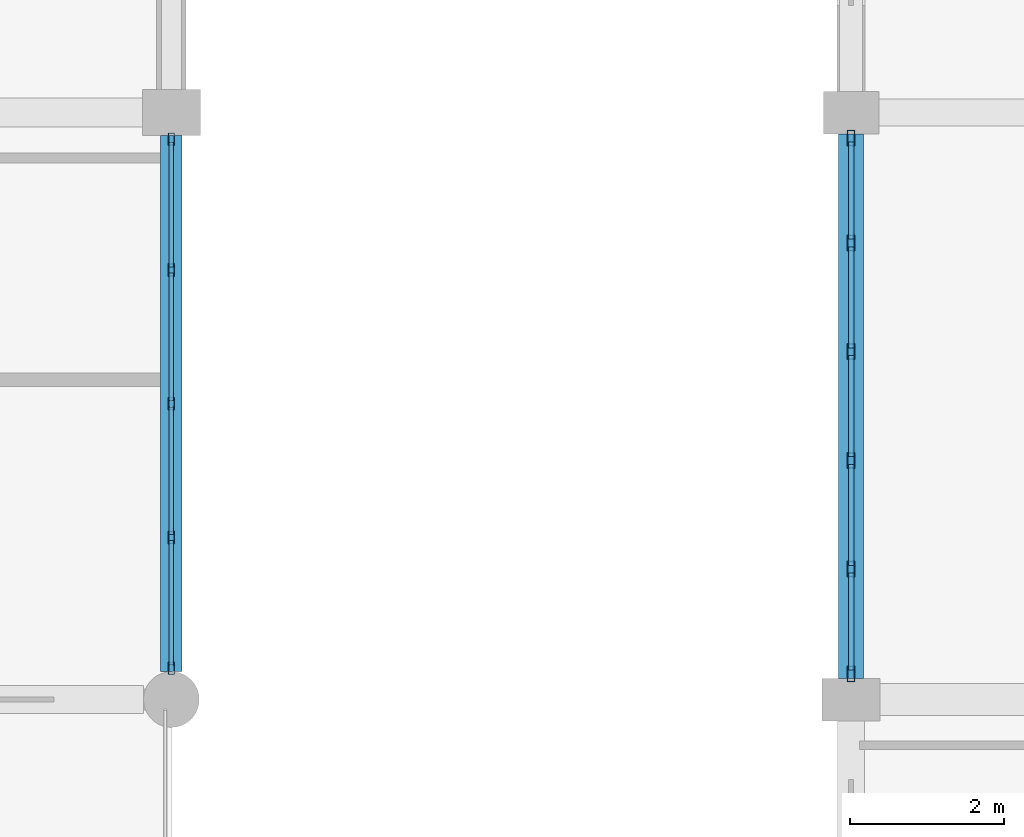
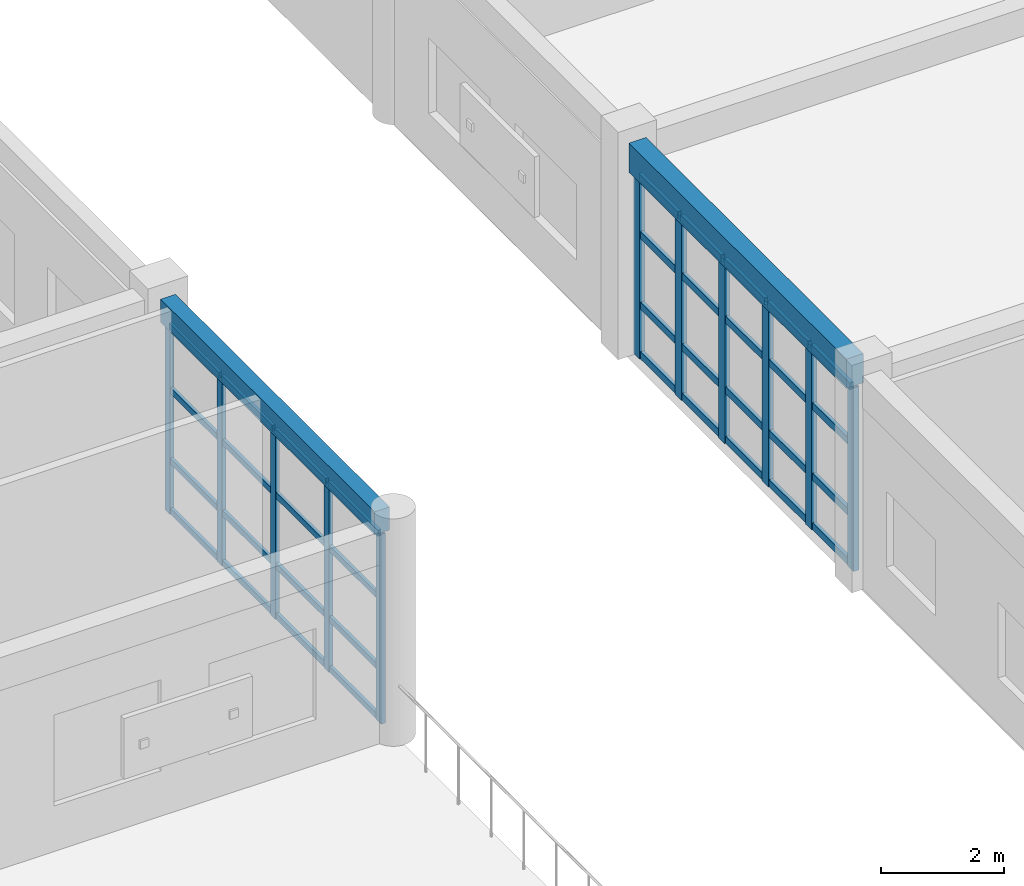
# One storey, part 59 of 160: 47 members, 2 beams, 2 elements without a shape of their own.
"""IFC4 building model written with IfcOpenShell, lengths in metres."""

from ifc_helpers import new_model, si_unit, direction, frame, origin, origin_2d, place, context, subcontext, project, spatial, rectangle, hollow_rectangle, extrude, material, material_profile, profile_set, type_object, element, aggregate, save


model = new_model("IFC4")

# Units and contexts
model_context = context("Model", 3, precision=1e-05, world=origin(), true_north=direction((0.0, 1.0)))
body_context = subcontext(model_context, "Body", "Model", "MODEL_VIEW")
ifc_project = project(units=[si_unit("LENGTHUNIT", "METRE"), si_unit("AREAUNIT", "SQUARE_METRE"), si_unit("VOLUMEUNIT", "CUBIC_METRE"), si_unit("PLANEANGLEUNIT", "RADIAN"), si_unit("MASSUNIT", "GRAM", prefix="KILO")], contexts=[model_context])

# Site, building, storey
site_placement = place(None, origin())
site = spatial("IfcSite", under=ifc_project, at=site_placement, CompositionType="ELEMENT")
building_placement = place(site_placement, origin())
building = spatial("IfcBuilding", under=site, at=building_placement, Name="Kharva Crest Polytechnic", CompositionType="ELEMENT")
storey_placement = place(building_placement, frame((0.0, 0.0, 4.5)))
storey = spatial("IfcBuildingStorey", under=building, at=storey_placement, Name="L01", CompositionType="ELEMENT", Elevation=4.5)

# Curtain wall, members
ifc_material_1 = material(Name="Tempered insulated glass", Category="glass")
curtain_wall_type_1 = type_object("IfcCurtainWallType", Name="CW-SYS-COURT", PredefinedType="USERDEFINED", material=ifc_material_1)
curtain_wall_1_placement = place(storey_placement, origin())
curtain_wall_1 = element("IfcCurtainWall", 1, at=curtain_wall_1_placement, inside=storey, type_object=curtain_wall_type_1, Name="L01 Glazed Curtain Wall CW-034", ObjectType="CURTAIN WALL", PredefinedType="USERDEFINED")
ifc_material_2 = material(Name="Steel S355", Category="steel")
ifc_material_profile_1 = material_profile(ifc_material_2, hollow_rectangle(XDim=0.080078125, YDim=0.159912109375, WallThickness=0.0048828125, at=origin_2d()), Name="RHS 160X80X5.0")
ifc_profile_set_1 = profile_set([ifc_material_profile_1], Name="Steel S355")
member_type_1 = type_object("IfcMemberType", Name="CWM-RHS160X80", PredefinedType="MULLION", material=ifc_profile_set_1)
member_1_placement = place(storey_placement, frame((112.0, 8.0048828125, 0.0), z_axis=(0.0, 0.0, 1.0), x_axis=(-1.0, 0.0, 0.0)))
member_1 = element("IfcMember", 2, at=member_1_placement, type_object=member_type_1, Name="CW-034 mullion 1", PredefinedType="MULLION", context=body_context, shape_type="SweptSolid", body=[
    extrude(hollow_rectangle(XDim=0.080078125, YDim=0.159912109375, WallThickness=0.0048828125, at=origin_2d()), origin(), (0.0, 0.0, 1.0), 3.760009765625),
])
member_2_placement = place(storey_placement, frame((112.0, 9.697509765625, 0.0), z_axis=(0.0, 0.0, 1.0), x_axis=(-1.0, 0.0, 0.0)))
member_2 = element("IfcMember", 3, at=member_2_placement, type_object=member_type_1, Name="CW-034 mullion 2", PredefinedType="MULLION", context=body_context, shape_type="SweptSolid", body=[
    extrude(hollow_rectangle(XDim=0.080078125, YDim=0.159912109375, WallThickness=0.0048828125, at=origin_2d()), origin(), (0.0, 0.0, 1.0), 3.760009765625),
])
member_3_placement = place(storey_placement, frame((112.0, 11.429931640625, 0.0), z_axis=(0.0, 0.0, 1.0), x_axis=(-1.0, 0.0, 0.0)))
member_3 = element("IfcMember", 4, at=member_3_placement, type_object=member_type_1, Name="CW-034 mullion 3", PredefinedType="MULLION", context=body_context, shape_type="SweptSolid", body=[
    extrude(hollow_rectangle(XDim=0.080078125, YDim=0.159912109375, WallThickness=0.0048828125, at=origin_2d()), origin(), (0.0, 0.0, 1.0), 3.760009765625),
])
member_4_placement = place(storey_placement, frame((112.0, 13.16259765625, 0.0), z_axis=(0.0, 0.0, 1.0), x_axis=(-1.0, 0.0, 0.0)))
member_4 = element("IfcMember", 5, at=member_4_placement, type_object=member_type_1, Name="CW-034 mullion 4", PredefinedType="MULLION", context=body_context, shape_type="SweptSolid", body=[
    extrude(hollow_rectangle(XDim=0.080078125, YDim=0.159912109375, WallThickness=0.0048828125, at=origin_2d()), origin(), (0.0, 0.0, 1.0), 3.760009765625),
])
member_5_placement = place(storey_placement, frame((112.0, 14.85498046875, 0.0), z_axis=(0.0, 0.0, 1.0), x_axis=(-1.0, 0.0, 0.0)))
member_5 = element("IfcMember", 6, at=member_5_placement, type_object=member_type_1, Name="CW-034 mullion 5", PredefinedType="MULLION", context=body_context, shape_type="SweptSolid", body=[
    extrude(hollow_rectangle(XDim=0.080078125, YDim=0.159912109375, WallThickness=0.0048828125, at=origin_2d()), origin(), (0.0, 0.0, 1.0), 3.760009765625),
])

curtain_wall_type_2 = type_object("IfcCurtainWallType", Name="CW-SYS-REFECTORY", PredefinedType="USERDEFINED", material=ifc_material_1)
curtain_wall_2_placement = place(storey_placement, origin())
curtain_wall_2 = element("IfcCurtainWall", 7, at=curtain_wall_2_placement, inside=storey, type_object=curtain_wall_type_2, Name="L01 Glazed Curtain Wall CW-044", ObjectType="CURTAIN WALL", PredefinedType="USERDEFINED")
ifc_material_profile_2 = material_profile(ifc_material_2, hollow_rectangle(XDim=0.10009765625, YDim=0.199951171875, WallThickness=0.00634765625, at=origin_2d()), Name="RHS 200X100X6.3")
ifc_profile_set_2 = profile_set([ifc_material_profile_2], Name="Steel S355")
member_type_2 = type_object("IfcMemberType", Name="CWM-RHS200X100", PredefinedType="MULLION", material=ifc_profile_set_2)
member_6_placement = place(storey_placement, frame((120.800048828125, 14.8701171875, 0.0), z_axis=(0.0, 0.0, 1.0), x_axis=(1.0, 0.0, 0.0)))
member_6 = element("IfcMember", 8, at=member_6_placement, type_object=member_type_2, Name="CW-044 mullion 1", PredefinedType="MULLION", context=body_context, shape_type="SweptSolid", body=[
    extrude(hollow_rectangle(XDim=0.10009765625, YDim=0.199951171875, WallThickness=0.00634765625, at=origin_2d()), origin(), (0.0, 0.0, 1.0), 3.639892578125),
])
member_7_placement = place(storey_placement, frame((120.800048828125, 13.511962890625, 0.0), z_axis=(0.0, 0.0, 1.0), x_axis=(1.0, 0.0, 0.0)))
member_7 = element("IfcMember", 9, at=member_7_placement, type_object=member_type_2, Name="CW-044 mullion 2", PredefinedType="MULLION", context=body_context, shape_type="SweptSolid", body=[
    extrude(hollow_rectangle(XDim=0.10009765625, YDim=0.199951171875, WallThickness=0.00634765625, at=origin_2d()), origin(), (0.0, 0.0, 1.0), 3.639892578125),
])
member_8_placement = place(storey_placement, frame((120.800048828125, 12.10400390625, 0.0), z_axis=(0.0, 0.0, 1.0), x_axis=(1.0, 0.0, 0.0)))
member_8 = element("IfcMember", 10, at=member_8_placement, type_object=member_type_2, Name="CW-044 mullion 3", PredefinedType="MULLION", context=body_context, shape_type="SweptSolid", body=[
    extrude(hollow_rectangle(XDim=0.10009765625, YDim=0.199951171875, WallThickness=0.00634765625, at=origin_2d()), origin(), (0.0, 0.0, 1.0), 3.639892578125),
])
member_9_placement = place(storey_placement, frame((120.800048828125, 10.696044921875, 0.0), z_axis=(0.0, 0.0, 1.0), x_axis=(1.0, 0.0, 0.0)))
member_9 = element("IfcMember", 11, at=member_9_placement, type_object=member_type_2, Name="CW-044 mullion 4", PredefinedType="MULLION", context=body_context, shape_type="SweptSolid", body=[
    extrude(hollow_rectangle(XDim=0.10009765625, YDim=0.199951171875, WallThickness=0.00634765625, at=origin_2d()), origin(), (0.0, 0.0, 1.0), 3.639892578125),
])
member_10_placement = place(storey_placement, frame((120.800048828125, 9.2880859375, 0.0), z_axis=(0.0, 0.0, 1.0), x_axis=(1.0, 0.0, 0.0)))
member_10 = element("IfcMember", 12, at=member_10_placement, type_object=member_type_2, Name="CW-044 mullion 5", PredefinedType="MULLION", context=body_context, shape_type="SweptSolid", body=[
    extrude(hollow_rectangle(XDim=0.10009765625, YDim=0.199951171875, WallThickness=0.00634765625, at=origin_2d()), origin(), (0.0, 0.0, 1.0), 3.639892578125),
])
member_11_placement = place(storey_placement, frame((120.800048828125, 7.929931640625, 0.0), z_axis=(0.0, 0.0, 1.0), x_axis=(1.0, 0.0, 0.0)))
member_11 = element("IfcMember", 13, at=member_11_placement, type_object=member_type_2, Name="CW-044 mullion 6", PredefinedType="MULLION", context=body_context, shape_type="SweptSolid", body=[
    extrude(hollow_rectangle(XDim=0.10009765625, YDim=0.199951171875, WallThickness=0.00634765625, at=origin_2d()), origin(), (0.0, 0.0, 1.0), 3.639892578125),
])

# Member
ifc_material_profile_3 = material_profile(ifc_material_2, hollow_rectangle(XDim=0.06005859375, YDim=0.1201171875, WallThickness=0.00390625, at=origin_2d()), Name="RHS 120X60X4.0")
ifc_profile_set_3 = profile_set([ifc_material_profile_3], Name="Steel S355")
member_type_3 = type_object("IfcMemberType", Name="CWT-RHS120X60", PredefinedType="USERDEFINED", material=ifc_profile_set_3)
member_12_placement = place(storey_placement, frame((112.0, 8.044921875, 0.06005859375), z_axis=(0.0, 1.0, 0.0), x_axis=(-1.0, 0.0, 0.0)))
member_12 = element("IfcMember", 14, at=member_12_placement, type_object=member_type_3, Name="CW-034 transom 1.1", ObjectType="TRANSOM", PredefinedType="USERDEFINED", context=body_context, shape_type="SweptSolid", body=[
    extrude(hollow_rectangle(XDim=0.06005859375, YDim=0.1201171875, WallThickness=0.00390625, at=origin_2d()), origin(), (0.0, 0.0, 1.0), 1.612548828125),
])

member_13_placement = place(storey_placement, frame((112.0, 8.044921875, 1.050048828125), z_axis=(0.0, 1.0, 0.0), x_axis=(-1.0, 0.0, 0.0)))
member_13 = element("IfcMember", 15, at=member_13_placement, type_object=member_type_3, Name="CW-034 transom 1.2", ObjectType="TRANSOM", PredefinedType="USERDEFINED", context=body_context, shape_type="SweptSolid", body=[
    extrude(hollow_rectangle(XDim=0.06005859375, YDim=0.1201171875, WallThickness=0.00390625, at=origin_2d()), origin(), (0.0, 0.0, 1.0), 1.612548828125),
])

member_14_placement = place(storey_placement, frame((112.0, 8.044921875, 2.449951171875), z_axis=(0.0, 1.0, 0.0), x_axis=(-1.0, 0.0, 0.0)))
member_14 = element("IfcMember", 16, at=member_14_placement, type_object=member_type_3, Name="CW-034 transom 1.3", ObjectType="TRANSOM", PredefinedType="USERDEFINED", context=body_context, shape_type="SweptSolid", body=[
    extrude(hollow_rectangle(XDim=0.06005859375, YDim=0.1201171875, WallThickness=0.00390625, at=origin_2d()), origin(), (0.0, 0.0, 1.0), 1.612548828125),
])

member_15_placement = place(storey_placement, frame((112.0, 8.044921875, 3.699951171875), z_axis=(0.0, 1.0, 0.0), x_axis=(-1.0, 0.0, 0.0)))
member_15 = element("IfcMember", 17, at=member_15_placement, type_object=member_type_3, Name="CW-034 transom 1.4", ObjectType="TRANSOM", PredefinedType="USERDEFINED", context=body_context, shape_type="SweptSolid", body=[
    extrude(hollow_rectangle(XDim=0.06005859375, YDim=0.1201171875, WallThickness=0.00390625, at=origin_2d()), origin(), (0.0, 0.0, 1.0), 1.612548828125),
])

member_16_placement = place(storey_placement, frame((112.0, 9.737548828125, 0.06005859375), z_axis=(0.0, 1.0, 0.0), x_axis=(-1.0, 0.0, 0.0)))
member_16 = element("IfcMember", 18, at=member_16_placement, type_object=member_type_3, Name="CW-034 transom 2.1", ObjectType="TRANSOM", PredefinedType="USERDEFINED", context=body_context, shape_type="SweptSolid", body=[
    extrude(hollow_rectangle(XDim=0.06005859375, YDim=0.1201171875, WallThickness=0.00390625, at=origin_2d()), origin(), (0.0, 0.0, 1.0), 1.65234375),
])

member_17_placement = place(storey_placement, frame((112.0, 9.737548828125, 1.050048828125), z_axis=(0.0, 1.0, 0.0), x_axis=(-1.0, 0.0, 0.0)))
member_17 = element("IfcMember", 19, at=member_17_placement, type_object=member_type_3, Name="CW-034 transom 2.2", ObjectType="TRANSOM", PredefinedType="USERDEFINED", context=body_context, shape_type="SweptSolid", body=[
    extrude(hollow_rectangle(XDim=0.06005859375, YDim=0.1201171875, WallThickness=0.00390625, at=origin_2d()), origin(), (0.0, 0.0, 1.0), 1.65234375),
])

member_18_placement = place(storey_placement, frame((112.0, 9.737548828125, 2.449951171875), z_axis=(0.0, 1.0, 0.0), x_axis=(-1.0, 0.0, 0.0)))
member_18 = element("IfcMember", 20, at=member_18_placement, type_object=member_type_3, Name="CW-034 transom 2.3", ObjectType="TRANSOM", PredefinedType="USERDEFINED", context=body_context, shape_type="SweptSolid", body=[
    extrude(hollow_rectangle(XDim=0.06005859375, YDim=0.1201171875, WallThickness=0.00390625, at=origin_2d()), origin(), (0.0, 0.0, 1.0), 1.65234375),
])

member_19_placement = place(storey_placement, frame((112.0, 9.737548828125, 3.699951171875), z_axis=(0.0, 1.0, 0.0), x_axis=(-1.0, 0.0, 0.0)))
member_19 = element("IfcMember", 21, at=member_19_placement, type_object=member_type_3, Name="CW-034 transom 2.4", ObjectType="TRANSOM", PredefinedType="USERDEFINED", context=body_context, shape_type="SweptSolid", body=[
    extrude(hollow_rectangle(XDim=0.06005859375, YDim=0.1201171875, WallThickness=0.00390625, at=origin_2d()), origin(), (0.0, 0.0, 1.0), 1.65234375),
])

member_20_placement = place(storey_placement, frame((112.0, 11.469970703125, 0.06005859375), z_axis=(0.0, 1.0, 0.0), x_axis=(-1.0, 0.0, 0.0)))
member_20 = element("IfcMember", 22, at=member_20_placement, type_object=member_type_3, Name="CW-034 transom 3.1", ObjectType="TRANSOM", PredefinedType="USERDEFINED", context=body_context, shape_type="SweptSolid", body=[
    extrude(hollow_rectangle(XDim=0.06005859375, YDim=0.1201171875, WallThickness=0.00390625, at=origin_2d()), origin(), (0.0, 0.0, 1.0), 1.652587890625),
])

member_21_placement = place(storey_placement, frame((112.0, 11.469970703125, 1.050048828125), z_axis=(0.0, 1.0, 0.0), x_axis=(-1.0, 0.0, 0.0)))
member_21 = element("IfcMember", 23, at=member_21_placement, type_object=member_type_3, Name="CW-034 transom 3.2", ObjectType="TRANSOM", PredefinedType="USERDEFINED", context=body_context, shape_type="SweptSolid", body=[
    extrude(hollow_rectangle(XDim=0.06005859375, YDim=0.1201171875, WallThickness=0.00390625, at=origin_2d()), origin(), (0.0, 0.0, 1.0), 1.652587890625),
])

member_22_placement = place(storey_placement, frame((112.0, 11.469970703125, 2.449951171875), z_axis=(0.0, 1.0, 0.0), x_axis=(-1.0, 0.0, 0.0)))
member_22 = element("IfcMember", 24, at=member_22_placement, type_object=member_type_3, Name="CW-034 transom 3.3", ObjectType="TRANSOM", PredefinedType="USERDEFINED", context=body_context, shape_type="SweptSolid", body=[
    extrude(hollow_rectangle(XDim=0.06005859375, YDim=0.1201171875, WallThickness=0.00390625, at=origin_2d()), origin(), (0.0, 0.0, 1.0), 1.652587890625),
])

member_23_placement = place(storey_placement, frame((112.0, 11.469970703125, 3.699951171875), z_axis=(0.0, 1.0, 0.0), x_axis=(-1.0, 0.0, 0.0)))
member_23 = element("IfcMember", 25, at=member_23_placement, type_object=member_type_3, Name="CW-034 transom 3.4", ObjectType="TRANSOM", PredefinedType="USERDEFINED", context=body_context, shape_type="SweptSolid", body=[
    extrude(hollow_rectangle(XDim=0.06005859375, YDim=0.1201171875, WallThickness=0.00390625, at=origin_2d()), origin(), (0.0, 0.0, 1.0), 1.652587890625),
])

member_24_placement = place(storey_placement, frame((112.0, 13.202392578125, 0.06005859375), z_axis=(0.0, 1.0, 0.0), x_axis=(-1.0, 0.0, 0.0)))
member_24 = element("IfcMember", 26, at=member_24_placement, type_object=member_type_3, Name="CW-034 transom 4.1", ObjectType="TRANSOM", PredefinedType="USERDEFINED", context=body_context, shape_type="SweptSolid", body=[
    extrude(hollow_rectangle(XDim=0.06005859375, YDim=0.1201171875, WallThickness=0.00390625, at=origin_2d()), origin(), (0.0, 0.0, 1.0), 1.612548828125),
])

member_25_placement = place(storey_placement, frame((112.0, 13.202392578125, 1.050048828125), z_axis=(0.0, 1.0, 0.0), x_axis=(-1.0, 0.0, 0.0)))
member_25 = element("IfcMember", 27, at=member_25_placement, type_object=member_type_3, Name="CW-034 transom 4.2", ObjectType="TRANSOM", PredefinedType="USERDEFINED", context=body_context, shape_type="SweptSolid", body=[
    extrude(hollow_rectangle(XDim=0.06005859375, YDim=0.1201171875, WallThickness=0.00390625, at=origin_2d()), origin(), (0.0, 0.0, 1.0), 1.612548828125),
])

member_26_placement = place(storey_placement, frame((112.0, 13.202392578125, 2.449951171875), z_axis=(0.0, 1.0, 0.0), x_axis=(-1.0, 0.0, 0.0)))
member_26 = element("IfcMember", 28, at=member_26_placement, type_object=member_type_3, Name="CW-034 transom 4.3", ObjectType="TRANSOM", PredefinedType="USERDEFINED", context=body_context, shape_type="SweptSolid", body=[
    extrude(hollow_rectangle(XDim=0.06005859375, YDim=0.1201171875, WallThickness=0.00390625, at=origin_2d()), origin(), (0.0, 0.0, 1.0), 1.612548828125),
])

member_27_placement = place(storey_placement, frame((112.0, 13.202392578125, 3.699951171875), z_axis=(0.0, 1.0, 0.0), x_axis=(-1.0, 0.0, 0.0)))
member_27 = element("IfcMember", 29, at=member_27_placement, type_object=member_type_3, Name="CW-034 transom 4.4", ObjectType="TRANSOM", PredefinedType="USERDEFINED", context=body_context, shape_type="SweptSolid", body=[
    extrude(hollow_rectangle(XDim=0.06005859375, YDim=0.1201171875, WallThickness=0.00390625, at=origin_2d()), origin(), (0.0, 0.0, 1.0), 1.612548828125),
])

aggregate(curtain_wall_1, [member_1, member_2, member_3, member_4, member_5, member_12, member_13, member_14, member_15, member_16, member_17, member_18, member_19, member_20, member_21, member_22, member_23, member_24, member_25, member_26, member_27])

ifc_material_profile_4 = material_profile(ifc_material_2, hollow_rectangle(XDim=0.070068359375, YDim=0.139892578125, WallThickness=0.00390625, at=origin_2d()), Name="RHS 140X70X4.0")
ifc_profile_set_4 = profile_set([ifc_material_profile_4], Name="Steel S355")
member_type_4 = type_object("IfcMemberType", Name="CWT-RHS140X70", PredefinedType="USERDEFINED", material=ifc_profile_set_4)
member_28_placement = place(storey_placement, frame((120.800048828125, 14.820068359375, 0.070068359375), z_axis=(0.0, -1.0, 0.0), x_axis=(1.0, 0.0, 0.0)))
member_28 = element("IfcMember", 30, at=member_28_placement, type_object=member_type_4, Name="CW-044 transom 1.1", ObjectType="TRANSOM", PredefinedType="USERDEFINED", context=body_context, shape_type="SweptSolid", body=[
    extrude(hollow_rectangle(XDim=0.070068359375, YDim=0.139892578125, WallThickness=0.00390625, at=origin_2d()), origin(), (0.0, 0.0, 1.0), 1.258056640625),
])

member_29_placement = place(storey_placement, frame((120.800048828125, 14.820068359375, 1.050048828125), z_axis=(0.0, -1.0, 0.0), x_axis=(1.0, 0.0, 0.0)))
member_29 = element("IfcMember", 31, at=member_29_placement, type_object=member_type_4, Name="CW-044 transom 1.2", ObjectType="TRANSOM", PredefinedType="USERDEFINED", context=body_context, shape_type="SweptSolid", body=[
    extrude(hollow_rectangle(XDim=0.070068359375, YDim=0.139892578125, WallThickness=0.00390625, at=origin_2d()), origin(), (0.0, 0.0, 1.0), 1.258056640625),
])

member_30_placement = place(storey_placement, frame((120.800048828125, 14.820068359375, 2.449951171875), z_axis=(0.0, -1.0, 0.0), x_axis=(1.0, 0.0, 0.0)))
member_30 = element("IfcMember", 32, at=member_30_placement, type_object=member_type_4, Name="CW-044 transom 1.3", ObjectType="TRANSOM", PredefinedType="USERDEFINED", context=body_context, shape_type="SweptSolid", body=[
    extrude(hollow_rectangle(XDim=0.070068359375, YDim=0.139892578125, WallThickness=0.00390625, at=origin_2d()), origin(), (0.0, 0.0, 1.0), 1.258056640625),
])

member_31_placement = place(storey_placement, frame((120.800048828125, 14.820068359375, 3.570068359375), z_axis=(0.0, -1.0, 0.0), x_axis=(1.0, 0.0, 0.0)))
member_31 = element("IfcMember", 33, at=member_31_placement, type_object=member_type_4, Name="CW-044 transom 1.4", ObjectType="TRANSOM", PredefinedType="USERDEFINED", context=body_context, shape_type="SweptSolid", body=[
    extrude(hollow_rectangle(XDim=0.070068359375, YDim=0.139892578125, WallThickness=0.00390625, at=origin_2d()), origin(), (0.0, 0.0, 1.0), 1.258056640625),
])

member_32_placement = place(storey_placement, frame((120.800048828125, 13.4619140625, 0.070068359375), z_axis=(0.0, -1.0, 0.0), x_axis=(1.0, 0.0, 0.0)))
member_32 = element("IfcMember", 34, at=member_32_placement, type_object=member_type_4, Name="CW-044 transom 2.1", ObjectType="TRANSOM", PredefinedType="USERDEFINED", context=body_context, shape_type="SweptSolid", body=[
    extrude(hollow_rectangle(XDim=0.070068359375, YDim=0.139892578125, WallThickness=0.00390625, at=origin_2d()), origin(), (0.0, 0.0, 1.0), 1.307861328125),
])

member_33_placement = place(storey_placement, frame((120.800048828125, 13.4619140625, 1.050048828125), z_axis=(0.0, -1.0, 0.0), x_axis=(1.0, 0.0, 0.0)))
member_33 = element("IfcMember", 35, at=member_33_placement, type_object=member_type_4, Name="CW-044 transom 2.2", ObjectType="TRANSOM", PredefinedType="USERDEFINED", context=body_context, shape_type="SweptSolid", body=[
    extrude(hollow_rectangle(XDim=0.070068359375, YDim=0.139892578125, WallThickness=0.00390625, at=origin_2d()), origin(), (0.0, 0.0, 1.0), 1.307861328125),
])

member_34_placement = place(storey_placement, frame((120.800048828125, 13.4619140625, 2.449951171875), z_axis=(0.0, -1.0, 0.0), x_axis=(1.0, 0.0, 0.0)))
member_34 = element("IfcMember", 36, at=member_34_placement, type_object=member_type_4, Name="CW-044 transom 2.3", ObjectType="TRANSOM", PredefinedType="USERDEFINED", context=body_context, shape_type="SweptSolid", body=[
    extrude(hollow_rectangle(XDim=0.070068359375, YDim=0.139892578125, WallThickness=0.00390625, at=origin_2d()), origin(), (0.0, 0.0, 1.0), 1.307861328125),
])

member_35_placement = place(storey_placement, frame((120.800048828125, 13.4619140625, 3.570068359375), z_axis=(0.0, -1.0, 0.0), x_axis=(1.0, 0.0, 0.0)))
member_35 = element("IfcMember", 37, at=member_35_placement, type_object=member_type_4, Name="CW-044 transom 2.4", ObjectType="TRANSOM", PredefinedType="USERDEFINED", context=body_context, shape_type="SweptSolid", body=[
    extrude(hollow_rectangle(XDim=0.070068359375, YDim=0.139892578125, WallThickness=0.00390625, at=origin_2d()), origin(), (0.0, 0.0, 1.0), 1.307861328125),
])

member_36_placement = place(storey_placement, frame((120.800048828125, 12.053955078125, 0.070068359375), z_axis=(0.0, -1.0, 0.0), x_axis=(1.0, 0.0, 0.0)))
member_36 = element("IfcMember", 38, at=member_36_placement, type_object=member_type_4, Name="CW-044 transom 3.1", ObjectType="TRANSOM", PredefinedType="USERDEFINED", context=body_context, shape_type="SweptSolid", body=[
    extrude(hollow_rectangle(XDim=0.070068359375, YDim=0.139892578125, WallThickness=0.00390625, at=origin_2d()), origin(), (0.0, 0.0, 1.0), 1.307861328125),
])

member_37_placement = place(storey_placement, frame((120.800048828125, 12.053955078125, 1.050048828125), z_axis=(0.0, -1.0, 0.0), x_axis=(1.0, 0.0, 0.0)))
member_37 = element("IfcMember", 39, at=member_37_placement, type_object=member_type_4, Name="CW-044 transom 3.2", ObjectType="TRANSOM", PredefinedType="USERDEFINED", context=body_context, shape_type="SweptSolid", body=[
    extrude(hollow_rectangle(XDim=0.070068359375, YDim=0.139892578125, WallThickness=0.00390625, at=origin_2d()), origin(), (0.0, 0.0, 1.0), 1.307861328125),
])

member_38_placement = place(storey_placement, frame((120.800048828125, 12.053955078125, 2.449951171875), z_axis=(0.0, -1.0, 0.0), x_axis=(1.0, 0.0, 0.0)))
member_38 = element("IfcMember", 40, at=member_38_placement, type_object=member_type_4, Name="CW-044 transom 3.3", ObjectType="TRANSOM", PredefinedType="USERDEFINED", context=body_context, shape_type="SweptSolid", body=[
    extrude(hollow_rectangle(XDim=0.070068359375, YDim=0.139892578125, WallThickness=0.00390625, at=origin_2d()), origin(), (0.0, 0.0, 1.0), 1.307861328125),
])

member_39_placement = place(storey_placement, frame((120.800048828125, 12.053955078125, 3.570068359375), z_axis=(0.0, -1.0, 0.0), x_axis=(1.0, 0.0, 0.0)))
member_39 = element("IfcMember", 41, at=member_39_placement, type_object=member_type_4, Name="CW-044 transom 3.4", ObjectType="TRANSOM", PredefinedType="USERDEFINED", context=body_context, shape_type="SweptSolid", body=[
    extrude(hollow_rectangle(XDim=0.070068359375, YDim=0.139892578125, WallThickness=0.00390625, at=origin_2d()), origin(), (0.0, 0.0, 1.0), 1.307861328125),
])

member_40_placement = place(storey_placement, frame((120.800048828125, 10.64599609375, 0.070068359375), z_axis=(0.0, -1.0, 0.0), x_axis=(1.0, 0.0, 0.0)))
member_40 = element("IfcMember", 42, at=member_40_placement, type_object=member_type_4, Name="CW-044 transom 4.1", ObjectType="TRANSOM", PredefinedType="USERDEFINED", context=body_context, shape_type="SweptSolid", body=[
    extrude(hollow_rectangle(XDim=0.070068359375, YDim=0.139892578125, WallThickness=0.00390625, at=origin_2d()), origin(), (0.0, 0.0, 1.0), 1.30810546875),
])

member_41_placement = place(storey_placement, frame((120.800048828125, 10.64599609375, 1.050048828125), z_axis=(0.0, -1.0, 0.0), x_axis=(1.0, 0.0, 0.0)))
member_41 = element("IfcMember", 43, at=member_41_placement, type_object=member_type_4, Name="CW-044 transom 4.2", ObjectType="TRANSOM", PredefinedType="USERDEFINED", context=body_context, shape_type="SweptSolid", body=[
    extrude(hollow_rectangle(XDim=0.070068359375, YDim=0.139892578125, WallThickness=0.00390625, at=origin_2d()), origin(), (0.0, 0.0, 1.0), 1.30810546875),
])

member_42_placement = place(storey_placement, frame((120.800048828125, 10.64599609375, 2.449951171875), z_axis=(0.0, -1.0, 0.0), x_axis=(1.0, 0.0, 0.0)))
member_42 = element("IfcMember", 44, at=member_42_placement, type_object=member_type_4, Name="CW-044 transom 4.3", ObjectType="TRANSOM", PredefinedType="USERDEFINED", context=body_context, shape_type="SweptSolid", body=[
    extrude(hollow_rectangle(XDim=0.070068359375, YDim=0.139892578125, WallThickness=0.00390625, at=origin_2d()), origin(), (0.0, 0.0, 1.0), 1.30810546875),
])

member_43_placement = place(storey_placement, frame((120.800048828125, 10.64599609375, 3.570068359375), z_axis=(0.0, -1.0, 0.0), x_axis=(1.0, 0.0, 0.0)))
member_43 = element("IfcMember", 45, at=member_43_placement, type_object=member_type_4, Name="CW-044 transom 4.4", ObjectType="TRANSOM", PredefinedType="USERDEFINED", context=body_context, shape_type="SweptSolid", body=[
    extrude(hollow_rectangle(XDim=0.070068359375, YDim=0.139892578125, WallThickness=0.00390625, at=origin_2d()), origin(), (0.0, 0.0, 1.0), 1.30810546875),
])

member_44_placement = place(storey_placement, frame((120.800048828125, 9.238037109375, 0.070068359375), z_axis=(0.0, -1.0, 0.0), x_axis=(1.0, 0.0, 0.0)))
member_44 = element("IfcMember", 46, at=member_44_placement, type_object=member_type_4, Name="CW-044 transom 5.1", ObjectType="TRANSOM", PredefinedType="USERDEFINED", context=body_context, shape_type="SweptSolid", body=[
    extrude(hollow_rectangle(XDim=0.070068359375, YDim=0.139892578125, WallThickness=0.00390625, at=origin_2d()), origin(), (0.0, 0.0, 1.0), 1.258056640625),
])

member_45_placement = place(storey_placement, frame((120.800048828125, 9.238037109375, 1.050048828125), z_axis=(0.0, -1.0, 0.0), x_axis=(1.0, 0.0, 0.0)))
member_45 = element("IfcMember", 47, at=member_45_placement, type_object=member_type_4, Name="CW-044 transom 5.2", ObjectType="TRANSOM", PredefinedType="USERDEFINED", context=body_context, shape_type="SweptSolid", body=[
    extrude(hollow_rectangle(XDim=0.070068359375, YDim=0.139892578125, WallThickness=0.00390625, at=origin_2d()), origin(), (0.0, 0.0, 1.0), 1.258056640625),
])

member_46_placement = place(storey_placement, frame((120.800048828125, 9.238037109375, 2.449951171875), z_axis=(0.0, -1.0, 0.0), x_axis=(1.0, 0.0, 0.0)))
member_46 = element("IfcMember", 48, at=member_46_placement, type_object=member_type_4, Name="CW-044 transom 5.3", ObjectType="TRANSOM", PredefinedType="USERDEFINED", context=body_context, shape_type="SweptSolid", body=[
    extrude(hollow_rectangle(XDim=0.070068359375, YDim=0.139892578125, WallThickness=0.00390625, at=origin_2d()), origin(), (0.0, 0.0, 1.0), 1.258056640625),
])

member_47_placement = place(storey_placement, frame((120.800048828125, 9.238037109375, 3.570068359375), z_axis=(0.0, -1.0, 0.0), x_axis=(1.0, 0.0, 0.0)))
member_47 = element("IfcMember", 49, at=member_47_placement, type_object=member_type_4, Name="CW-044 transom 5.4", ObjectType="TRANSOM", PredefinedType="USERDEFINED", context=body_context, shape_type="SweptSolid", body=[
    extrude(hollow_rectangle(XDim=0.070068359375, YDim=0.139892578125, WallThickness=0.00390625, at=origin_2d()), origin(), (0.0, 0.0, 1.0), 1.258056640625),
])

aggregate(curtain_wall_2, [member_6, member_7, member_8, member_9, member_10, member_11, member_28, member_29, member_30, member_31, member_32, member_33, member_34, member_35, member_36, member_37, member_38, member_39, member_40, member_41, member_42, member_43, member_44, member_45, member_46, member_47])

# Beams
ifc_material_3 = material(Name="Concrete C35/45", Category="concrete")
ifc_material_profile_5 = material_profile(ifc_material_3, rectangle(XDim=0.280029296875, YDim=0.4599609375, at=origin_2d()), Name="RECT 280 X 460")
ifc_profile_set_5 = profile_set([ifc_material_profile_5], Name="Concrete C35/45")
beam_type_1 = type_object("IfcBeamType", Name="SP-RC-280X460", PredefinedType="SPANDREL", material=ifc_profile_set_5)
beam_1_placement = place(storey_placement, frame((112.0, 7.9599609375, 3.989990234375), z_axis=(0.0, 1.0, 0.0), x_axis=(-1.0, 0.0, 0.0)))
element("IfcBeam", 50, at=beam_1_placement, inside=storey, type_object=beam_type_1, Name="L01 Girder 15/B-C", PredefinedType="SPANDREL", context=body_context, shape_type="SweptSolid", body=[
    extrude(rectangle(XDim=0.280029296875, YDim=0.4599609375, at=origin_2d()), origin(), (0.0, 0.0, 1.0), 6.93994140625),
])
ifc_material_profile_6 = material_profile(ifc_material_3, rectangle(XDim=0.320068359375, YDim=0.580078125, at=origin_2d()), Name="RECT 320 X 580")
ifc_profile_set_6 = profile_set([ifc_material_profile_6], Name="Concrete C35/45")
beam_type_2 = type_object("IfcBeamType", Name="SP-RC-320X580", PredefinedType="SPANDREL", material=ifc_profile_set_6)
beam_2_placement = place(storey_placement, frame((120.800048828125, 7.875, 3.929931640625), z_axis=(0.0, 1.0, 0.0), x_axis=(-1.0, 0.0, 0.0)))
element("IfcBeam", 51, at=beam_2_placement, inside=storey, type_object=beam_type_2, Name="L01 Girder 16J/B-C", PredefinedType="SPANDREL", context=body_context, shape_type="SweptSolid", body=[
    extrude(rectangle(XDim=0.320068359375, YDim=0.580078125, at=origin_2d()), origin(), (0.0, 0.0, 1.0), 7.050048828125),
])

save(model, "model.ifc")
